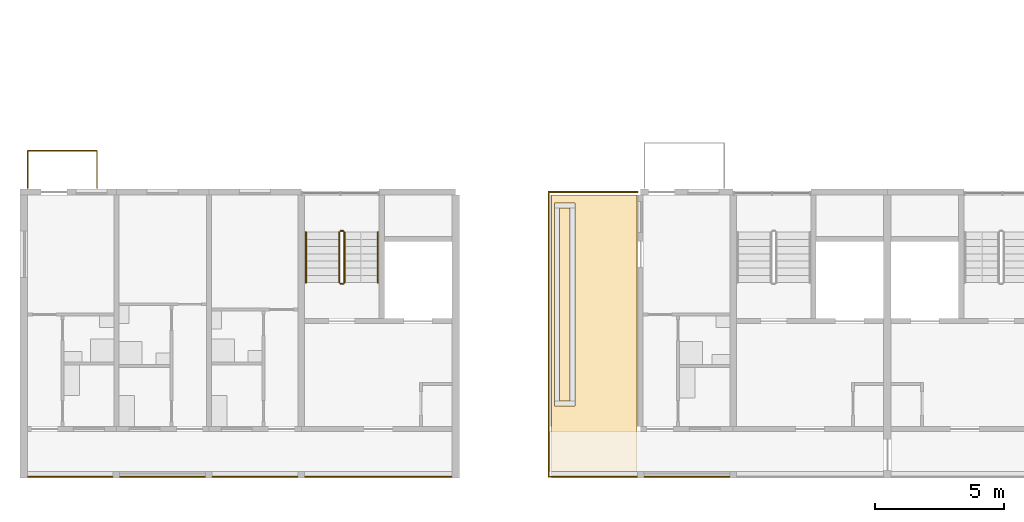
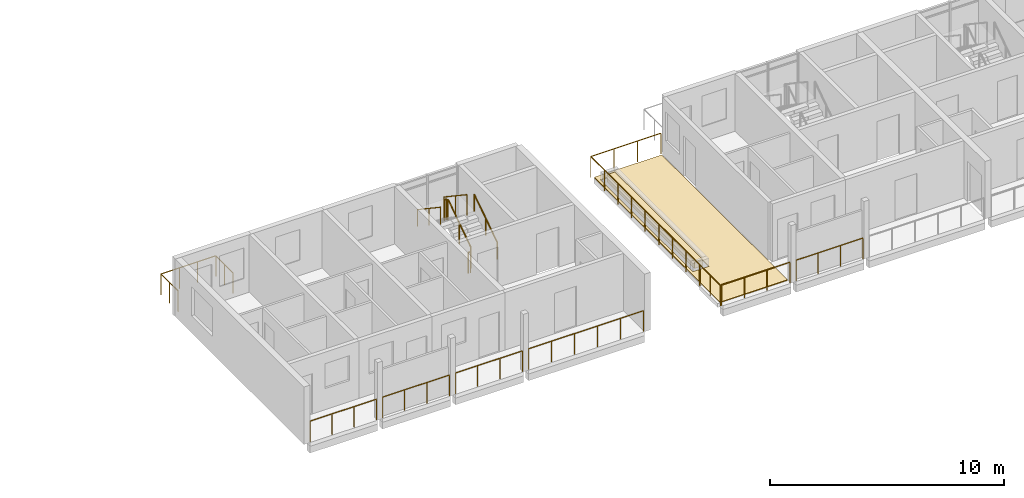
# One storey, part 48 of 64: 15 railings, 3 coverings.
"""IFC4 building model written with IfcOpenShell, lengths in metres."""

from ifc_helpers import new_model, si_unit, direction, frame, origin, origin_2d, place, context, subcontext, project, spatial, polyline, circle, outline, extrude, material, layer, layer_set, type_object, element, save


model = new_model("IFC4")

# Units and contexts
model_context = context("Model", 3, precision=1e-05, world=origin(), true_north=direction((0.0, 1.0)))
body_context = subcontext(model_context, "Body", "Model", "MODEL_VIEW")
ifc_project = project(units=[si_unit("LENGTHUNIT", "METRE"), si_unit("AREAUNIT", "SQUARE_METRE"), si_unit("VOLUMEUNIT", "CUBIC_METRE"), si_unit("PLANEANGLEUNIT", "RADIAN"), si_unit("MASSUNIT", "GRAM", prefix="KILO")], contexts=[model_context])

# Site, building, storey
site_placement = place(None, origin())
site = spatial("IfcSite", under=ifc_project, at=site_placement, CompositionType="ELEMENT")
building_placement = place(site_placement, origin())
building = spatial("IfcBuilding", under=site, at=building_placement, Name="Ridgestep Commons", CompositionType="ELEMENT")
storey_placement = place(building_placement, frame((0.0, 0.0, 33.0)))
storey = spatial("IfcBuildingStorey", under=building, at=storey_placement, Name="L11", CompositionType="ELEMENT", Elevation=33.0)

# Railings
ifc_material_1 = material(Name="Structural steel S355JR", Category="steel")
railing_type_1 = type_object("IfcRailingType", Name="Guard 1100", PredefinedType="GUARDRAIL", material=ifc_material_1)
railing_1_placement = place(storey_placement, frame((32.4208984375, 13.571044921875, 0.0)))
element("IfcRailing", 1, at=railing_1_placement, inside=storey, type_object=railing_type_1, Name="Guard TD-A2R2-GD", PredefinedType="GUARDRAIL", context=body_context, shape_type="SweptSolid", body=[
    extrude(circle(Radius=0.02392578125, at=origin_2d()), frame((0.0, 0.0, 1.076171875), z_axis=(0.0, 1.0, 0.0), x_axis=(-1.0, 0.0, 0.0)), (0.0, 0.0, 1.0), 9.303955078125),
    extrude(circle(Radius=0.02392578125, at=origin_2d()), frame((0.0, 9.303955078125, 1.076171875), z_axis=(1.0, 0.0, 0.0), x_axis=(0.0, 1.0, 0.0)), (0.0, 0.0, 1.0), 3.4580078125),
    extrude(circle(Radius=0.02099609375, at=origin_2d()), origin(), (0.0, 0.0, 1.0), 1.052001953125),
    extrude(circle(Radius=0.02099609375, at=origin_2d()), frame((0.0, 1.1630859375, 0.0)), (0.0, 0.0, 1.0), 1.052001953125),
    extrude(circle(Radius=0.02099609375, at=origin_2d()), frame((0.0, 2.325927734375, 0.0)), (0.0, 0.0, 1.0), 1.052001953125),
    extrude(circle(Radius=0.02099609375, at=origin_2d()), frame((0.0, 3.489013671875, 0.0)), (0.0, 0.0, 1.0), 1.052001953125),
    extrude(circle(Radius=0.02099609375, at=origin_2d()), frame((0.0, 4.65185546875, 0.0)), (0.0, 0.0, 1.0), 1.052001953125),
    extrude(circle(Radius=0.02099609375, at=origin_2d()), frame((0.0, 5.81494140625, 0.0)), (0.0, 0.0, 1.0), 1.052001953125),
    extrude(circle(Radius=0.02099609375, at=origin_2d()), frame((0.0, 6.97802734375, 0.0)), (0.0, 0.0, 1.0), 1.052001953125),
    extrude(circle(Radius=0.02099609375, at=origin_2d()), frame((0.0, 8.140869140625, 0.0)), (0.0, 0.0, 1.0), 1.052001953125),
    extrude(circle(Radius=0.02099609375, at=origin_2d()), frame((0.0, 9.303955078125, 0.0)), (0.0, 0.0, 1.0), 1.052001953125),
    extrude(circle(Radius=0.02099609375, at=origin_2d()), frame((1.152587890625, 9.303955078125, 0.0)), (0.0, 0.0, 1.0), 1.052001953125),
    extrude(circle(Radius=0.02099609375, at=origin_2d()), frame((2.305419921875, 9.303955078125, 0.0)), (0.0, 0.0, 1.0), 1.052001953125),
    extrude(circle(Radius=0.02099609375, at=origin_2d()), frame((3.4580078125, 9.303955078125, 0.0)), (0.0, 0.0, 1.0), 1.052001953125),
])
railing_2_placement = place(storey_placement, frame((12.1708984375, 11.800048828125, 0.0)))
element("IfcRailing", 2, at=railing_2_placement, inside=storey, type_object=railing_type_1, Name="Gallery guard A 11.1", PredefinedType="GUARDRAIL", context=body_context, shape_type="SweptSolid", body=[
    extrude(circle(Radius=0.02392578125, at=origin_2d()), frame((0.0, 0.0, 1.076171875), z_axis=(1.0, 0.0, 0.0), x_axis=(0.0, 1.0, 0.0)), (0.0, 0.0, 1.0), 3.283203125),
    extrude(circle(Radius=0.02099609375, at=origin_2d()), origin(), (0.0, 0.0, 1.0), 1.052001953125),
    extrude(circle(Radius=0.02099609375, at=origin_2d()), frame((1.094482421875, 0.0, 0.0)), (0.0, 0.0, 1.0), 1.052001953125),
    extrude(circle(Radius=0.02099609375, at=origin_2d()), frame((2.188720703125, 0.0, 0.0)), (0.0, 0.0, 1.0), 1.052001953125),
    extrude(circle(Radius=0.02099609375, at=origin_2d()), frame((3.283203125, 0.0, 0.0)), (0.0, 0.0, 1.0), 1.052001953125),
])
railing_3_placement = place(storey_placement, frame((15.74609375, 11.800048828125, 0.0)))
element("IfcRailing", 3, at=railing_3_placement, inside=storey, type_object=railing_type_1, Name="Gallery guard A 11.2", PredefinedType="GUARDRAIL", context=body_context, shape_type="SweptSolid", body=[
    extrude(circle(Radius=0.02392578125, at=origin_2d()), frame((0.0, 0.0, 1.076171875), z_axis=(1.0, 0.0, 0.0), x_axis=(0.0, 1.0, 0.0)), (0.0, 0.0, 1.0), 3.307861328125),
    extrude(circle(Radius=0.02099609375, at=origin_2d()), origin(), (0.0, 0.0, 1.0), 1.052001953125),
    extrude(circle(Radius=0.02099609375, at=origin_2d()), frame((1.1025390625, 0.0, 0.0)), (0.0, 0.0, 1.0), 1.052001953125),
    extrude(circle(Radius=0.02099609375, at=origin_2d()), frame((2.205322265625, 0.0, 0.0)), (0.0, 0.0, 1.0), 1.052001953125),
    extrude(circle(Radius=0.02099609375, at=origin_2d()), frame((3.307861328125, 0.0, 0.0)), (0.0, 0.0, 1.0), 1.052001953125),
])
railing_4_placement = place(storey_placement, frame((19.345947265625, 11.800048828125, 0.0)))
element("IfcRailing", 4, at=railing_4_placement, inside=storey, type_object=railing_type_1, Name="Gallery guard A 11.3", PredefinedType="GUARDRAIL", context=body_context, shape_type="SweptSolid", body=[
    extrude(circle(Radius=0.02392578125, at=origin_2d()), frame((0.0, 0.0, 1.076171875), z_axis=(1.0, 0.0, 0.0), x_axis=(0.0, 1.0, 0.0)), (0.0, 0.0, 1.0), 3.30810546875),
    extrude(circle(Radius=0.02099609375, at=origin_2d()), origin(), (0.0, 0.0, 1.0), 1.052001953125),
    extrude(circle(Radius=0.02099609375, at=origin_2d()), frame((1.102783203125, 0.0, 0.0)), (0.0, 0.0, 1.0), 1.052001953125),
    extrude(circle(Radius=0.02099609375, at=origin_2d()), frame((2.205322265625, 0.0, 0.0)), (0.0, 0.0, 1.0), 1.052001953125),
    extrude(circle(Radius=0.02099609375, at=origin_2d()), frame((3.30810546875, 0.0, 0.0)), (0.0, 0.0, 1.0), 1.052001953125),
])
railing_5_placement = place(storey_placement, frame((22.946044921875, 11.800048828125, 0.0)))
element("IfcRailing", 5, at=railing_5_placement, inside=storey, type_object=railing_type_1, Name="Gallery guard A 11.4", PredefinedType="GUARDRAIL", context=body_context, shape_type="SweptSolid", body=[
    extrude(circle(Radius=0.02392578125, at=origin_2d()), frame((0.0, 0.0, 1.076171875), z_axis=(1.0, 0.0, 0.0), x_axis=(0.0, 1.0, 0.0)), (0.0, 0.0, 1.0), 5.682861328125),
    extrude(circle(Radius=0.02099609375, at=origin_2d()), origin(), (0.0, 0.0, 1.0), 1.052001953125),
    extrude(circle(Radius=0.02099609375, at=origin_2d()), frame((1.136474609375, 0.0, 0.0)), (0.0, 0.0, 1.0), 1.052001953125),
    extrude(circle(Radius=0.02099609375, at=origin_2d()), frame((2.273193359375, 0.0, 0.0)), (0.0, 0.0, 1.0), 1.052001953125),
    extrude(circle(Radius=0.02099609375, at=origin_2d()), frame((3.40966796875, 0.0, 0.0)), (0.0, 0.0, 1.0), 1.052001953125),
    extrude(circle(Radius=0.02099609375, at=origin_2d()), frame((4.54638671875, 0.0, 0.0)), (0.0, 0.0, 1.0), 1.052001953125),
    extrude(circle(Radius=0.02099609375, at=origin_2d()), frame((5.682861328125, 0.0, 0.0)), (0.0, 0.0, 1.0), 1.052001953125),
])
railing_6_placement = place(storey_placement, frame((32.48388671875, 11.800048828125, 0.0)))
element("IfcRailing", 6, at=railing_6_placement, inside=storey, type_object=railing_type_1, Name="Gallery guard A 11.1", PredefinedType="GUARDRAIL", context=body_context, shape_type="SweptSolid", body=[
    extrude(circle(Radius=0.02392578125, at=origin_2d()), frame((0.0, 0.0, 1.076171875), z_axis=(1.0, 0.0, 0.0), x_axis=(0.0, 1.0, 0.0)), (0.0, 0.0, 1.0), 3.3701171875),
    extrude(circle(Radius=0.02099609375, at=origin_2d()), origin(), (0.0, 0.0, 1.0), 1.052001953125),
    extrude(circle(Radius=0.02099609375, at=origin_2d()), frame((1.123291015625, 0.0, 0.0)), (0.0, 0.0, 1.0), 1.052001953125),
    extrude(circle(Radius=0.02099609375, at=origin_2d()), frame((2.246826171875, 0.0, 0.0)), (0.0, 0.0, 1.0), 1.052001953125),
    extrude(circle(Radius=0.02099609375, at=origin_2d()), frame((3.3701171875, 0.0, 0.0)), (0.0, 0.0, 1.0), 1.052001953125),
])
railing_7_placement = place(storey_placement, frame((32.4208984375, 11.800048828125, 0.0)))
element("IfcRailing", 7, at=railing_7_placement, inside=storey, type_object=railing_type_1, Name="Gallery end guard A 11.1W", PredefinedType="GUARDRAIL", context=body_context, shape_type="SweptSolid", body=[
    extrude(circle(Radius=0.02392578125, at=origin_2d()), frame((0.0, 0.0, 1.076171875), z_axis=(0.0, 1.0, 0.0), x_axis=(-1.0, 0.0, 0.0)), (0.0, 0.0, 1.0), 1.72900390625),
    extrude(circle(Radius=0.02099609375, at=origin_2d()), origin(), (0.0, 0.0, 1.0), 1.052001953125),
    extrude(circle(Radius=0.02099609375, at=origin_2d()), frame((0.0, 0.864501953125, 0.0)), (0.0, 0.0, 1.0), 1.052001953125),
    extrude(circle(Radius=0.02099609375, at=origin_2d()), frame((0.0, 1.72900390625, 0.0)), (0.0, 0.0, 1.0), 1.052001953125),
])
railing_8_placement = place(storey_placement, frame((36.14599609375, 11.800048828125, 0.0)))
element("IfcRailing", 8, at=railing_8_placement, inside=storey, type_object=railing_type_1, Name="Gallery guard A 11.2", PredefinedType="GUARDRAIL", context=body_context, shape_type="SweptSolid", body=[
    extrude(circle(Radius=0.02392578125, at=origin_2d()), frame((0.0, 0.0, 1.076171875), z_axis=(1.0, 0.0, 0.0), x_axis=(0.0, 1.0, 0.0)), (0.0, 0.0, 1.0), 3.30810546875),
    extrude(circle(Radius=0.02099609375, at=origin_2d()), origin(), (0.0, 0.0, 1.0), 1.052001953125),
    extrude(circle(Radius=0.02099609375, at=origin_2d()), frame((1.102783203125, 0.0, 0.0)), (0.0, 0.0, 1.0), 1.052001953125),
    extrude(circle(Radius=0.02099609375, at=origin_2d()), frame((2.205322265625, 0.0, 0.0)), (0.0, 0.0, 1.0), 1.052001953125),
    extrude(circle(Radius=0.02099609375, at=origin_2d()), frame((3.30810546875, 0.0, 0.0)), (0.0, 0.0, 1.0), 1.052001953125),
])

# Covering
ifc_material_2 = material(Name="Planting soil")
ifc_layer_1 = layer(ifc_material_2, 0.35009765625)
ifc_layer_set_1 = layer_set([ifc_layer_1], Name="Planting soil 350")
covering_type_1 = type_object("IfcCoveringType", Name="Planting soil 350", PredefinedType="FLOORING", material=ifc_layer_set_1)
covering_1_placement = place(storey_placement, frame((0.0, 0.0, 0.010009765625)))
element("IfcCovering", 9, at=covering_1_placement, inside=storey, type_object=covering_type_1, Name="Planting soil A2R2", PredefinedType="FLOORING", context=body_context, shape_type="SweptSolid", body=[
    extrude(outline(polyline([(32.85009765625, 14.75), (33.25, 14.75), (33.25, 22.25), (32.85009765625, 22.25), (32.85009765625, 14.75)])), origin(), (0.0, 0.0, 1.0), 0.35009765625),
])

# Railings
ifc_material_3 = material(Name="Structural steel S355JR", Category="steel")
railing_type_2 = type_object("IfcRailingType", Name="Stair guard 1100", PredefinedType="GUARDRAIL", material=ifc_material_3)
railing_9_placement = place(storey_placement, frame((24.47509765625, 19.35009765625, 0.1875)))
element("IfcRailing", 10, at=railing_9_placement, inside=storey, type_object=railing_type_2, Name="L11 A1C stair guard 1", PredefinedType="GUARDRAIL", context=body_context, shape_type="SweptSolid", body=[
    extrude(circle(Radius=0.02392578125, at=origin_2d()), frame((0.0, 0.0, 1.076171875), z_axis=(0.0, 0.830902050051, 0.556418712142), x_axis=(-1.0, 0.0, 0.0)), (0.0, 0.0, 1.0), 2.35888671875),
    extrude(circle(Radius=0.02099609375, at=origin_2d()), origin(), (0.0, 0.0, 1.0), 1.052001953125),
    extrude(circle(Radius=0.02099609375, at=origin_2d()), frame((0.0, 0.97998046875, 0.65625)), (0.0, 0.0, 1.0), 1.052001953125),
    extrude(circle(Radius=0.02099609375, at=origin_2d()), frame((0.0, 1.9599609375, 1.3125)), (0.0, 0.0, 1.0), 1.052001953125),
])
railing_10_placement = place(storey_placement, frame((24.425048828125, 21.360107421875, 1.5)))
element("IfcRailing", 11, at=railing_10_placement, inside=storey, type_object=railing_type_2, Name="L11 A1C stair guard 2", PredefinedType="GUARDRAIL", context=body_context, shape_type="SweptSolid", body=[
    extrude(circle(Radius=0.02392578125, at=origin_2d()), frame((0.0, 0.0, 1.076171875), z_axis=(-1.0, 0.0, 0.0), x_axis=(0.0, -1.0, 0.0)), (0.0, 0.0, 1.0), 0.10009765625),
    extrude(circle(Radius=0.02099609375, at=origin_2d()), origin(), (0.0, 0.0, 1.0), 1.052001953125),
    extrude(circle(Radius=0.02099609375, at=origin_2d()), frame((-0.10009765625, 0.0, 0.0)), (0.0, 0.0, 1.0), 1.052001953125),
])
railing_11_placement = place(storey_placement, frame((24.27490234375, 21.31005859375, 1.6875)))
element("IfcRailing", 12, at=railing_11_placement, inside=storey, type_object=railing_type_2, Name="L11 A1C stair guard 3", PredefinedType="GUARDRAIL", context=body_context, shape_type="SweptSolid", body=[
    extrude(circle(Radius=0.02392578125, at=origin_2d()), frame((0.0, 0.0, 1.076171875), z_axis=(0.0, -0.830902050051, 0.556418712142), x_axis=(1.0, 0.0, 0.0)), (0.0, 0.0, 1.0), 2.35888671875),
    extrude(circle(Radius=0.02099609375, at=origin_2d()), origin(), (0.0, 0.0, 1.0), 1.052001953125),
    extrude(circle(Radius=0.02099609375, at=origin_2d()), frame((0.0, -0.97998046875, 0.65625)), (0.0, 0.0, 1.0), 1.052001953125),
    extrude(circle(Radius=0.02099609375, at=origin_2d()), frame((0.0, -1.9599609375, 1.3125)), (0.0, 0.0, 1.0), 1.052001953125),
])
railing_12_placement = place(storey_placement, frame((24.425048828125, 19.300048828125, 0.0)))
element("IfcRailing", 13, at=railing_12_placement, inside=storey, type_object=railing_type_2, Name="L11 A1C stair guard 4", PredefinedType="GUARDRAIL", context=body_context, shape_type="SweptSolid", body=[
    extrude(circle(Radius=0.02392578125, at=origin_2d()), frame((0.0, 0.0, 1.076171875), z_axis=(-1.0, 0.0, 0.0), x_axis=(0.0, -1.0, 0.0)), (0.0, 0.0, 1.0), 0.10009765625),
    extrude(circle(Radius=0.02099609375, at=origin_2d()), origin(), (0.0, 0.0, 1.0), 1.052001953125),
    extrude(circle(Radius=0.02099609375, at=origin_2d()), frame((-0.10009765625, 0.0, 0.0)), (0.0, 0.0, 1.0), 1.052001953125),
])
ifc_material_4 = material(Name="Structural steel S355JR", Category="steel")
railing_type_3 = type_object("IfcRailingType", Name="Stair handrail 900", PredefinedType="HANDRAIL", material=ifc_material_4)
railing_13_placement = place(storey_placement, frame((25.77490234375, 19.35009765625, 0.1875)))
element("IfcRailing", 14, at=railing_13_placement, inside=storey, type_object=railing_type_3, Name="L11 A1C stair handrail 1", PredefinedType="HANDRAIL", context=body_context, shape_type="SweptSolid", body=[
    extrude(circle(Radius=0.02392578125, at=origin_2d()), frame((0.0, 0.0, 0.8759765625), z_axis=(0.0, 0.830902050051, 0.556418712142), x_axis=(-1.0, 0.0, 0.0)), (0.0, 0.0, 1.0), 2.35888671875),
    extrude(circle(Radius=0.02099609375, at=origin_2d()), origin(), (0.0, 0.0, 1.0), 0.851806640625),
    extrude(circle(Radius=0.02099609375, at=origin_2d()), frame((0.0, 0.97998046875, 0.65625)), (0.0, 0.0, 1.0), 0.851806640625),
    extrude(circle(Radius=0.02099609375, at=origin_2d()), frame((0.0, 1.9599609375, 1.3125)), (0.0, 0.0, 1.0), 0.851806640625),
])
railing_14_placement = place(storey_placement, frame((22.97509765625, 21.31005859375, 1.6875)))
element("IfcRailing", 15, at=railing_14_placement, inside=storey, type_object=railing_type_3, Name="L11 A1C stair handrail 2", PredefinedType="HANDRAIL", context=body_context, shape_type="SweptSolid", body=[
    extrude(circle(Radius=0.02392578125, at=origin_2d()), frame((0.0, 0.0, 0.8759765625), z_axis=(0.0, -0.830902050051, 0.556418712142), x_axis=(1.0, 0.0, 0.0)), (0.0, 0.0, 1.0), 2.35888671875),
    extrude(circle(Radius=0.02099609375, at=origin_2d()), origin(), (0.0, 0.0, 1.0), 0.851806640625),
    extrude(circle(Radius=0.02099609375, at=origin_2d()), frame((0.0, -0.97998046875, 0.65625)), (0.0, 0.0, 1.0), 0.851806640625),
    extrude(circle(Radius=0.02099609375, at=origin_2d()), frame((0.0, -1.9599609375, 1.3125)), (0.0, 0.0, 1.0), 0.851806640625),
])

# Coverings
ifc_material_5 = material(Name="Bitumen membrane, two layer")
ifc_layer_2 = layer(ifc_material_5, 0.010009765625)
ifc_layer_set_2 = layer_set([ifc_layer_2], Name="Terrace membrane 10")
covering_type_2 = type_object("IfcCoveringType", Name="Terrace membrane 10", PredefinedType="ROOFING", material=ifc_layer_set_2)
covering_2_placement = place(storey_placement, origin())
element("IfcCovering", 16, at=covering_2_placement, inside=storey, type_object=covering_type_2, Name="Terrace membrane A2R2", PredefinedType="ROOFING", context=body_context, shape_type="SweptSolid", body=[
    extrude(outline(polyline([(35.85009765625, 12.0), (35.85009765625, 22.75), (32.52490234375, 22.75), (32.52490234375, 12.0), (35.85009765625, 12.0)]), holes=[polyline([(33.449951171875, 14.550048828125), (33.449951171875, 22.449951171875), (32.64990234375, 22.449951171875), (32.64990234375, 14.550048828125), (33.449951171875, 14.550048828125)])]), origin(), (0.0, 0.0, 1.0), 0.010009765625),
])
ifc_material_6 = material(Name="Concrete paving slab", Category="concrete")
ifc_layer_3 = layer(ifc_material_6, 0.030029296875)
ifc_layer_set_3 = layer_set([ifc_layer_3], Name="Terrace paving 30")
covering_type_3 = type_object("IfcCoveringType", Name="Terrace paving 30", PredefinedType="FLOORING", material=ifc_layer_set_3)
covering_3_placement = place(storey_placement, frame((0.0, 0.0, 0.010009765625)))
element("IfcCovering", 17, at=covering_3_placement, inside=storey, type_object=covering_type_3, Name="Terrace paving A2R2", PredefinedType="FLOORING", context=body_context, shape_type="SweptSolid", body=[
    extrude(outline(polyline([(35.85009765625, 12.0), (35.85009765625, 22.75), (32.52490234375, 22.75), (32.52490234375, 12.0), (35.85009765625, 12.0)]), holes=[polyline([(33.449951171875, 14.550048828125), (33.449951171875, 22.449951171875), (32.64990234375, 22.449951171875), (32.64990234375, 14.550048828125), (33.449951171875, 14.550048828125)])]), origin(), (0.0, 0.0, 1.0), 0.030029296875),
])

# Railing
ifc_material_7 = material(Name="Weathering steel S355J2W", Category="steel")
railing_type_4 = type_object("IfcRailingType", Name="Tray guard 1100", PredefinedType="GUARDRAIL", material=ifc_material_7)
railing_15_placement = place(storey_placement, frame((12.15087890625, 23.02099609375, 0.0)))
element("IfcRailing", 18, at=railing_15_placement, inside=storey, type_object=railing_type_4, Name="Tray guard A1T1-11", PredefinedType="GUARDRAIL", context=body_context, shape_type="SweptSolid", body=[
    extrude(circle(Radius=0.02392578125, at=origin_2d()), frame((0.0, 0.0, 1.076171875), z_axis=(0.0, 1.0, 0.0), x_axis=(-1.0, 0.0, 0.0)), (0.0, 0.0, 1.0), 1.4580078125),
    extrude(circle(Radius=0.02392578125, at=origin_2d()), frame((0.0, 1.4580078125, 1.076171875), z_axis=(1.0, 0.0, 0.0), x_axis=(0.0, 1.0, 0.0)), (0.0, 0.0, 1.0), 2.6982421875),
    extrude(circle(Radius=0.02392578125, at=origin_2d()), frame((2.6982421875, 1.4580078125, 1.076171875), z_axis=(0.0, -1.0, 0.0), x_axis=(1.0, 0.0, 0.0)), (0.0, 0.0, 1.0), 1.4580078125),
    extrude(circle(Radius=0.02099609375, at=origin_2d()), origin(), (0.0, 0.0, 1.0), 1.052001953125),
    extrude(circle(Radius=0.02099609375, at=origin_2d()), frame((0.0, 0.72900390625, 0.0)), (0.0, 0.0, 1.0), 1.052001953125),
    extrude(circle(Radius=0.02099609375, at=origin_2d()), frame((0.0, 1.4580078125, 0.0)), (0.0, 0.0, 1.0), 1.052001953125),
    extrude(circle(Radius=0.02099609375, at=origin_2d()), frame((0.8994140625, 1.4580078125, 0.0)), (0.0, 0.0, 1.0), 1.052001953125),
    extrude(circle(Radius=0.02099609375, at=origin_2d()), frame((1.798828125, 1.4580078125, 0.0)), (0.0, 0.0, 1.0), 1.052001953125),
    extrude(circle(Radius=0.02099609375, at=origin_2d()), frame((2.6982421875, 1.4580078125, 0.0)), (0.0, 0.0, 1.0), 1.052001953125),
    extrude(circle(Radius=0.02099609375, at=origin_2d()), frame((2.6982421875, 0.72900390625, 0.0)), (0.0, 0.0, 1.0), 1.052001953125),
    extrude(circle(Radius=0.02099609375, at=origin_2d()), frame((2.6982421875, 0.0, 0.0)), (0.0, 0.0, 1.0), 1.052001953125),
])

save(model, "model.ifc")
